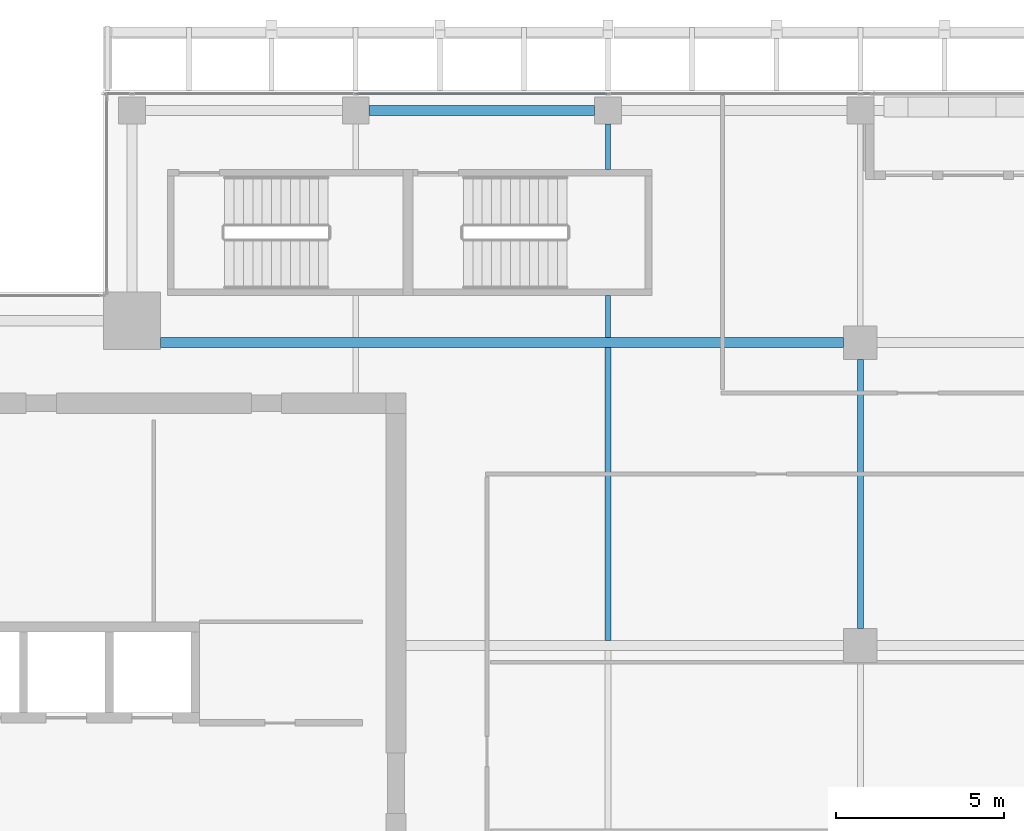
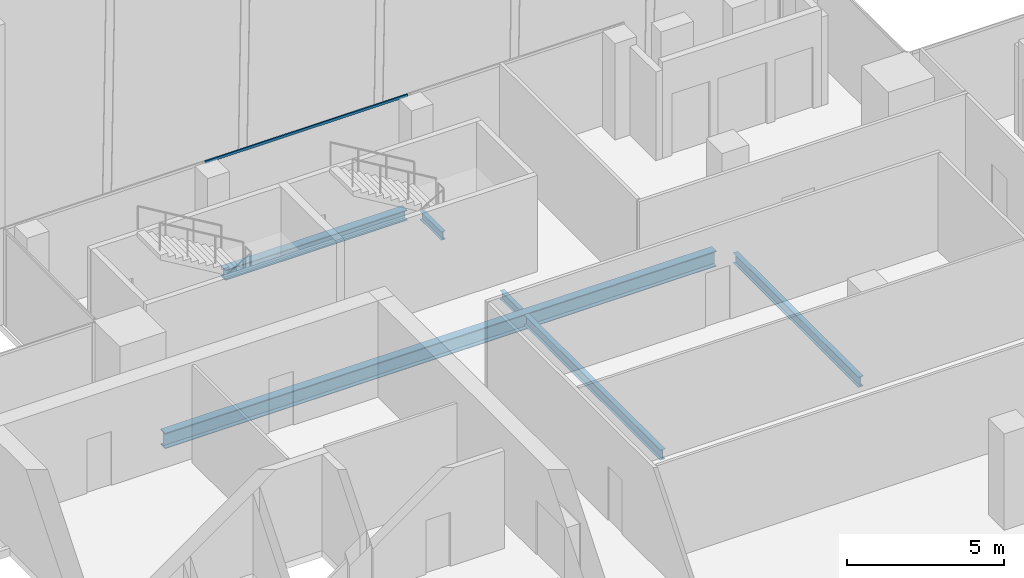
# One storey, part 15 of 32: 6 beams, 1 member, 1 element without a shape of its own.
"""IFC4 building model written with IfcOpenShell, lengths in metres."""

from ifc_helpers import new_model, si_unit, direction, frame, origin, origin_2d, place, context, subcontext, project, spatial, hollow_rectangle, i_section, extrude, source, transform, mapped, material, material_profile, profile_set, type_object, element, aggregate, save


model = new_model("IFC4")

# Units and contexts
model_context = context("Model", 3, precision=1e-05, world=origin(), true_north=direction((0.0, 1.0)))
body_context = subcontext(model_context, "Body", "Model", "MODEL_VIEW")
ifc_project = project(units=[si_unit("LENGTHUNIT", "METRE"), si_unit("AREAUNIT", "SQUARE_METRE"), si_unit("VOLUMEUNIT", "CUBIC_METRE"), si_unit("PLANEANGLEUNIT", "RADIAN"), si_unit("MASSUNIT", "GRAM", prefix="KILO")], contexts=[model_context])

# Site, building, storey
site_placement = place(None, origin())
site = spatial("IfcSite", under=ifc_project, at=site_placement, CompositionType="ELEMENT")
building_placement = place(site_placement, origin())
building = spatial("IfcBuilding", under=site, at=building_placement, Name="Khomas Fold Tower", CompositionType="ELEMENT")
storey_placement = place(building_placement, frame((0.0, 0.0, 306.199951171875)))
storey = spatial("IfcBuildingStorey", under=building, at=storey_placement, Name="L69", CompositionType="ELEMENT", Elevation=306.199951171875)

# Beams
ifc_material_1 = material(Name="Steel S355", Category="steel")
ifc_material_profile_1 = material_profile(ifc_material_1, i_section(OverallWidth=0.179931640625, OverallDepth=0.39990234375, WebThickness=0.008544921875, FlangeThickness=0.013427734375, at=origin_2d()), Name="IPE 400")
ifc_profile_set_1 = profile_set([ifc_material_profile_1], Name="Steel S355")
beam_type_1 = type_object("IfcBeamType", Name="IPE 400 beam JB3", PredefinedType="BEAM", material=ifc_profile_set_1)
shared_shape_1 = source(origin(), body_context, "Body", "SweptSolid", [
    extrude(i_section(OverallWidth=0.179931640625, OverallDepth=0.39990234375, WebThickness=0.008544921875, FlangeThickness=0.013427734375, at=origin_2d()), origin(), (0.0, 0.0, 1.0), 8.7001953125),
])
beam_1_placement = place(storey_placement, frame((27.0, 31.64990234375, -0.449951171875), z_axis=(0.0, 1.0, 0.0), x_axis=(-1.0, 0.0, 0.0)))
element("IfcBeam", 1, at=beam_1_placement, inside=storey, type_object=beam_type_1, Name="JB3", PredefinedType="BEAM", context=body_context, shape_type="MappedRepresentation", body=[
    mapped(shared_shape_1, transform((0.0, 0.0, 0.0))),
])
ifc_material_2 = material(Name="Steel S355", Category="steel")
ifc_material_profile_2 = material_profile(ifc_material_2, i_section(OverallWidth=0.159912109375, OverallDepth=0.330078125, WebThickness=0.007568359375, FlangeThickness=0.011474609375, at=origin_2d()), Name="IPE 330")
ifc_profile_set_2 = profile_set([ifc_material_profile_2], Name="Steel S355")
beam_type_2 = type_object("IfcBeamType", Name="IPE 330 beam JB1", PredefinedType="BEAM", material=ifc_profile_set_2)
shared_shape_2 = source(origin(), body_context, "Body", "SweptSolid", [
    extrude(i_section(OverallWidth=0.159912109375, OverallDepth=0.330078125, WebThickness=0.007568359375, FlangeThickness=0.011474609375, at=origin_2d()), origin(), (0.0, 0.0, 1.0), 1.25),
])
beam_2_placement = place(storey_placement, frame((27.0, 40.64990234375, -0.4150390625), z_axis=(0.0, 1.0, 0.0), x_axis=(-1.0, 0.0, 0.0)))
element("IfcBeam", 2, at=beam_2_placement, inside=storey, type_object=beam_type_2, Name="JB1", PredefinedType="BEAM", context=body_context, shape_type="MappedRepresentation", body=[
    mapped(shared_shape_2, transform((0.0, 0.0, 0.0))),
])
shared_shape_3 = source(origin(), body_context, "Body", "SweptSolid", [
    extrude(i_section(OverallWidth=0.159912109375, OverallDepth=0.330078125, WebThickness=0.007568359375, FlangeThickness=0.011474609375, at=origin_2d()), origin(), (0.0, 0.0, 1.0), 1.35009765625),
])
beam_3_placement = place(storey_placement, frame((27.0, 45.64990234375, -0.4150390625), z_axis=(0.0, 1.0, 0.0), x_axis=(-1.0, 0.0, 0.0)))
element("IfcBeam", 3, at=beam_3_placement, inside=storey, type_object=beam_type_2, Name="JB1", PredefinedType="BEAM", context=body_context, shape_type="MappedRepresentation", body=[
    mapped(shared_shape_3, transform((0.0, 0.0, 0.0))),
])
ifc_material_3 = material(Name="Steel S355", Category="steel")
ifc_material_profile_3 = material_profile(ifc_material_3, i_section(OverallWidth=0.300048828125, OverallDepth=0.39990234375, WebThickness=0.013427734375, FlangeThickness=0.02392578125, at=origin_2d()), Name="HE 400 B")
ifc_profile_set_3 = profile_set([ifc_material_profile_3], Name="Steel S355")
beam_type_3 = type_object("IfcBeamType", Name="HE 400 B spandrel SB5", PredefinedType="SPANDREL", material=ifc_profile_set_3)
shared_shape_4 = source(origin(), body_context, "Body", "SweptSolid", [
    extrude(i_section(OverallWidth=0.300048828125, OverallDepth=0.39990234375, WebThickness=0.013427734375, FlangeThickness=0.02392578125, at=origin_2d()), origin(), (0.0, 0.0, 1.0), 6.7001953125),
])
beam_4_placement = place(storey_placement, frame((19.89990234375, 47.39990234375, -0.449951171875), z_axis=(1.0, 0.0, 0.0), x_axis=(0.0, 1.0, 0.0)))
element("IfcBeam", 4, at=beam_4_placement, inside=storey, type_object=beam_type_3, Name="SB5", PredefinedType="SPANDREL", context=body_context, shape_type="MappedRepresentation", body=[
    mapped(shared_shape_4, transform((0.0, 0.0, 0.0))),
])
ifc_material_4 = material(Name="Steel S355", Category="steel")
ifc_material_profile_4 = material_profile(ifc_material_4, i_section(OverallWidth=0.300048828125, OverallDepth=0.60009765625, WebThickness=0.015380859375, FlangeThickness=0.030029296875, at=origin_2d()), Name="HE 600 B")
ifc_profile_set_4 = profile_set([ifc_material_profile_4], Name="Steel S355")
beam_type_4 = type_object("IfcBeamType", Name="HE 600 B beam GB5", PredefinedType="BEAM", material=ifc_profile_set_4)
shared_shape_5 = source(origin(), body_context, "Body", "SweptSolid", [
    extrude(i_section(OverallWidth=0.300048828125, OverallDepth=0.60009765625, WebThickness=0.015380859375, FlangeThickness=0.030029296875, at=origin_2d()), origin(), (0.0, 0.0, 1.0), 20.300048828125),
])
beam_5_placement = place(storey_placement, frame((13.699951171875, 40.5, -0.550048828125), z_axis=(1.0, 0.0, 0.0), x_axis=(0.0, 1.0, 0.0)))
element("IfcBeam", 5, at=beam_5_placement, inside=storey, type_object=beam_type_4, Name="GB5", PredefinedType="BEAM", context=body_context, shape_type="MappedRepresentation", body=[
    mapped(shared_shape_5, transform((0.0, 0.0, 0.0))),
])
shared_shape_6 = source(origin(), body_context, "Body", "SweptSolid", [
    extrude(i_section(OverallWidth=0.179931640625, OverallDepth=0.39990234375, WebThickness=0.008544921875, FlangeThickness=0.013427734375, at=origin_2d()), origin(), (0.0, 0.0, 1.0), 8.0),
])
beam_6_placement = place(storey_placement, frame((34.5, 32.0, -0.449951171875), z_axis=(0.0, 1.0, 0.0), x_axis=(-1.0, 0.0, 0.0)))
element("IfcBeam", 6, at=beam_6_placement, inside=storey, type_object=beam_type_1, Name="JB3", PredefinedType="BEAM", context=body_context, shape_type="MappedRepresentation", body=[
    mapped(shared_shape_6, transform((0.0, 0.0, 0.0))),
])

# Curtain wall, member
ifc_material_5 = material(Name="Aluminium framed double glazing", Category="aluminium")
curtain_wall_type = type_object("IfcCurtainWallType", Name="SK-Unitised clear-glass wall, upper floors CW3", PredefinedType="NOTDEFINED", material=ifc_material_5)
curtain_wall_placement = place(storey_placement, origin())
curtain_wall = element("IfcCurtainWall", 7, at=curtain_wall_placement, inside=storey, type_object=curtain_wall_type, Name="CW3 run L69 06-1", PredefinedType="NOTDEFINED")
ifc_material_6 = material(Name="Aluminium", Category="aluminium")
ifc_material_profile_5 = material_profile(ifc_material_6, hollow_rectangle(XDim=0.050048828125, YDim=0.10009765625, WallThickness=0.00390625, at=origin_2d()), Name="SK-Unitised clear-glass wall, upper floors transom CW3-T")
ifc_profile_set_5 = profile_set([ifc_material_profile_5], Name="Aluminium")
member_type = type_object("IfcMemberType", Name="SK-Unitised clear-glass wall, upper floors transom CW3-T", PredefinedType="USERDEFINED", material=ifc_profile_set_5)
shared_shape_7 = source(origin(), body_context, "Body", "SweptSolid", [
    extrude(hollow_rectangle(XDim=0.050048828125, YDim=0.10009765625, WallThickness=0.00390625, at=origin_2d()), origin(), (0.0, 0.0, 1.0), 7.4501953125),
])
member_placement = place(storey_placement, frame((26.97509765625, 47.89990234375, 3.699951171875), z_axis=(-1.0, 0.0, 0.0), x_axis=(0.0, -1.0, 0.0)))
member = element("IfcMember", 8, at=member_placement, type_object=member_type, Name="CW3 transom 3", ObjectType="TRANSOM", PredefinedType="USERDEFINED", context=body_context, shape_type="MappedRepresentation", body=[
    mapped(shared_shape_7, transform((0.0, 0.0, 0.0))),
])
aggregate(curtain_wall, [member])

save(model, "model.ifc")
